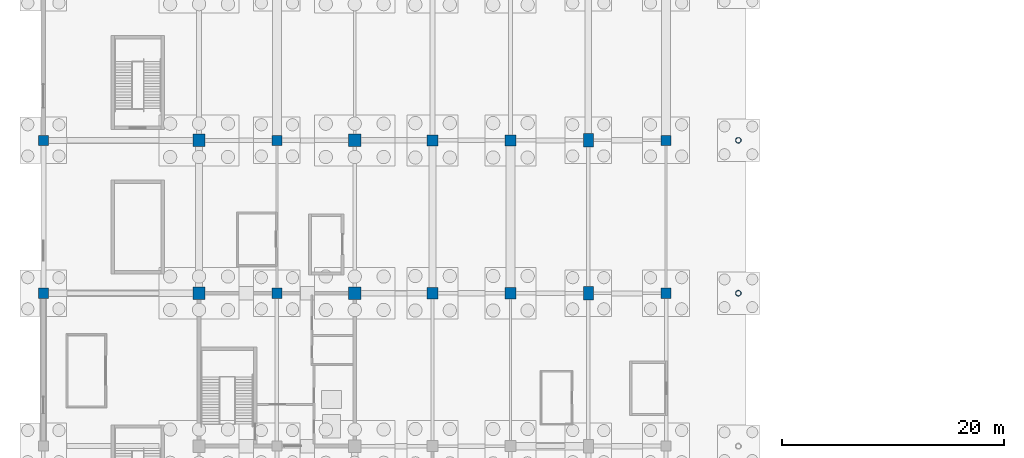
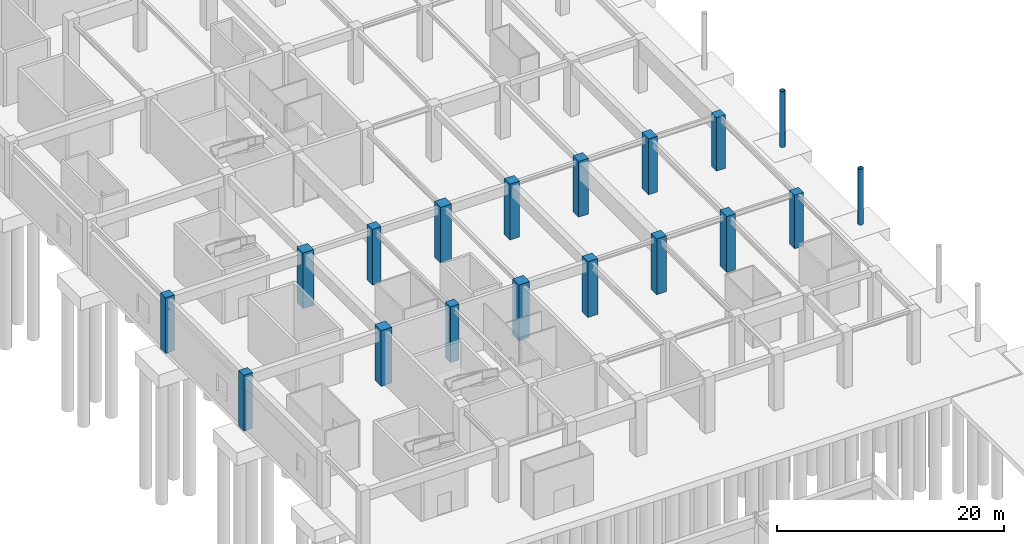
# One storey, part 13 of 62: 18 columns.
"""IFC4 building model written with IfcOpenShell, lengths in metres."""

from ifc_helpers import new_model, si_unit, direction, frame, origin, origin_2d, place, context, subcontext, project, spatial, rectangle, hollow_circle, extrude, material, material_profile, profile_set, type_object, element, save


model = new_model("IFC4")

# Units and contexts
model_context = context("Model", 3, precision=1e-05, world=origin(), true_north=direction((0.0, 1.0)))
body_context = subcontext(model_context, "Body", "Model", "MODEL_VIEW")
ifc_project = project(units=[si_unit("LENGTHUNIT", "METRE"), si_unit("AREAUNIT", "SQUARE_METRE"), si_unit("VOLUMEUNIT", "CUBIC_METRE"), si_unit("PLANEANGLEUNIT", "RADIAN"), si_unit("MASSUNIT", "GRAM", prefix="KILO")], contexts=[model_context])

# Site, building, storey
site_placement = place(None, origin())
site = spatial("IfcSite", under=ifc_project, at=site_placement, CompositionType="ELEMENT")
building_placement = place(site_placement, origin())
building = spatial("IfcBuilding", under=site, at=building_placement, Name="Linyun Crest Stadium", CompositionType="ELEMENT")
storey_placement = place(building_placement, frame((0.0, 0.0, -6.0)))
storey = spatial("IfcBuildingStorey", under=building, at=storey_placement, Name="B1", CompositionType="ELEMENT", Elevation=-6.0)

# Columns
ifc_material_1 = material(Name="Concrete C50", Category="concrete")
ifc_material_profile_1 = material_profile(ifc_material_1, rectangle(XDim=0.89990234375, YDim=0.89990234375, at=origin_2d()), Name="RC 900x900")
ifc_profile_set_1 = profile_set([ifc_material_profile_1], Name="Concrete C50")
column_type_1 = type_object("IfcColumnType", Name="C04", PredefinedType="COLUMN", material=ifc_profile_set_1)
for number, where, z_axis, x_axis, name in (
    (1, (-98.0, -25.375, 0.0), (0.0, 0.0, 1.0), (1.0, 0.0, 0.0), "Column C04 B1 13"),
    (2, (-98.0, -11.625, 0.0), (0.0, 0.0, 1.0), (1.0, 0.0, 0.0), "Column C04 B1 19"),
    (3, (-77.0, -25.375, 0.0), (0.0, 0.0, 1.0), (1.0, 0.0, 0.0), "Column C04 B1 115"),
    (4, (-77.0, -11.625, 0.0), (0.0, 0.0, 1.0), (1.0, 0.0, 0.0), "Column C04 B1 120"),
):
    element("IfcColumn", number, at=place(storey_placement, frame(where, z_axis=z_axis, x_axis=x_axis)), inside=storey, type_object=column_type_1, Name=name, PredefinedType="COLUMN", context=body_context, shape_type="SweptSolid", body=[
        extrude(rectangle(XDim=0.89990234375, YDim=0.89990234375, at=origin_2d()), origin(), (0.0, 0.0, 1.0), 5.998046875),
    ])
for number, where, z_axis, x_axis, name in (
    (5, (-42.0, -25.375, 0.0), (0.0, 0.0, 1.0), (1.0, 0.0, 0.0), "Column C04 B1 291"),
    (6, (-42.0, -11.625, 0.0), (0.0, 0.0, 1.0), (1.0, 0.0, 0.0), "Column C04 B1 292"),
):
    element("IfcColumn", number, at=place(storey_placement, frame(where, z_axis=z_axis, x_axis=x_axis)), inside=storey, type_object=column_type_1, Name=name, PredefinedType="COLUMN", context=body_context, shape_type="SweptSolid", body=[
        extrude(rectangle(XDim=0.89990234375, YDim=0.89990234375, at=origin_2d()), origin(), (0.0, 0.0, 1.0), 5.75),
    ])
ifc_material_2 = material(Name="Concrete C50", Category="concrete")
ifc_material_profile_2 = material_profile(ifc_material_2, rectangle(XDim=1.0, YDim=1.0, at=origin_2d()), Name="RC 1000x1000")
ifc_profile_set_2 = profile_set([ifc_material_profile_2], Name="Concrete C50")
column_type_2 = type_object("IfcColumnType", Name="C05", PredefinedType="COLUMN", material=ifc_profile_set_2)
for number, where, z_axis, x_axis, name in (
    (7, (-63.0, -25.375, 0.0), (0.0, 0.0, 1.0), (1.0, 0.0, 0.0), "Column C05 B1 211"),
    (8, (-63.0, -11.625, 0.0), (0.0, 0.0, 1.0), (1.0, 0.0, 0.0), "Column C05 B1 216"),
    (9, (-56.0, -25.375, 0.0), (0.0, 0.0, 1.0), (1.0, 0.0, 0.0), "Column C05 B1 249"),
    (10, (-56.0, -11.625, 0.0), (0.0, 0.0, 1.0), (1.0, 0.0, 0.0), "Column C05 B1 253"),
):
    element("IfcColumn", number, at=place(storey_placement, frame(where, z_axis=z_axis, x_axis=x_axis)), inside=storey, type_object=column_type_2, Name=name, PredefinedType="COLUMN", context=body_context, shape_type="SweptSolid", body=[
        extrude(rectangle(XDim=1.0, YDim=1.0, at=origin_2d()), origin(), (0.0, 0.0, 1.0), 5.998046875),
    ])
ifc_material_3 = material(Name="Concrete C50", Category="concrete")
ifc_material_profile_3 = material_profile(ifc_material_3, rectangle(XDim=1.10009765625, YDim=1.10009765625, at=origin_2d()), Name="RC 1100x1100")
ifc_profile_set_3 = profile_set([ifc_material_profile_3], Name="Concrete C50")
column_type_3 = type_object("IfcColumnType", Name="C06", PredefinedType="COLUMN", material=ifc_profile_set_3)
for number, where, z_axis, x_axis, name in (
    (11, (-84.0, -25.375, 0.0), (0.0, 0.0, 1.0), (1.0, 0.0, 0.0), "Column C06 B1 63"),
    (12, (-84.0, -11.625, 0.0), (0.0, 0.0, 1.0), (1.0, 0.0, 0.0), "Column C06 B1 70"),
    (13, (-70.0, -25.375, 0.0), (0.0, 0.0, 1.0), (1.0, 0.0, 0.0), "Column C06 B1 159"),
    (14, (-70.0, -11.625, 0.0), (0.0, 0.0, 1.0), (1.0, 0.0, 0.0), "Column C06 B1 166"),
):
    element("IfcColumn", number, at=place(storey_placement, frame(where, z_axis=z_axis, x_axis=x_axis)), inside=storey, type_object=column_type_3, Name=name, PredefinedType="COLUMN", context=body_context, shape_type="SweptSolid", body=[
        extrude(rectangle(XDim=1.10009765625, YDim=1.10009765625, at=origin_2d()), origin(), (0.0, 0.0, 1.0), 5.998046875),
    ])
ifc_material_4 = material(Name="Concrete C50", Category="concrete")
ifc_material_profile_4 = material_profile(ifc_material_4, rectangle(XDim=0.89990234375, YDim=1.199951171875, at=origin_2d()), Name="RC 1200x900")
ifc_profile_set_4 = profile_set([ifc_material_profile_4], Name="Concrete C50")
column_type_4 = type_object("IfcColumnType", Name="C11", PredefinedType="COLUMN", material=ifc_profile_set_4)
for number, where, z_axis, x_axis, name in (
    (15, (-49.0, -25.375, 0.0), (0.0, 0.0, 1.0), (1.0, 0.0, 0.0), "Column C11 B1 277"),
    (16, (-49.0, -11.625, 0.0), (0.0, 0.0, 1.0), (1.0, 0.0, 0.0), "Column C11 B1 279"),
):
    element("IfcColumn", number, at=place(storey_placement, frame(where, z_axis=z_axis, x_axis=x_axis)), inside=storey, type_object=column_type_4, Name=name, PredefinedType="COLUMN", context=body_context, shape_type="SweptSolid", body=[
        extrude(rectangle(XDim=0.89990234375, YDim=1.199951171875, at=origin_2d()), origin(), (0.0, 0.0, 1.0), 5.998046875),
    ])
ifc_material_5 = material(Name="Steel Q355C", Category="steel")
ifc_material_profile_5 = material_profile(ifc_material_5, hollow_circle(Radius=0.25390625, WallThickness=0.02490234375, at=origin_2d()), Name="CHS 508x25")
ifc_profile_set_5 = profile_set([ifc_material_profile_5], Name="Steel Q355C")
column_type_5 = type_object("IfcColumnType", Name="SC05", PredefinedType="COLUMN", material=ifc_profile_set_5)
for number, where, z_axis, x_axis, name in (
    (17, (-35.5, -25.375, 0.0), (0.0, 0.0, 1.0), (1.0, 0.0, 0.0), "Arch colonnade column SC05 B1 6"),
    (18, (-35.5, -11.625, 0.0), (0.0, 0.0, 1.0), (1.0, 0.0, 0.0), "Arch colonnade column SC05 B1 8"),
):
    element("IfcColumn", number, at=place(storey_placement, frame(where, z_axis=z_axis, x_axis=x_axis)), inside=storey, type_object=column_type_5, Name=name, PredefinedType="COLUMN", context=body_context, shape_type="SweptSolid", body=[
        extrude(hollow_circle(Radius=0.25390625, WallThickness=0.02490234375, at=origin_2d()), origin(), (0.0, 0.0, 1.0), 6.0),
    ])

save(model, "model.ifc")
